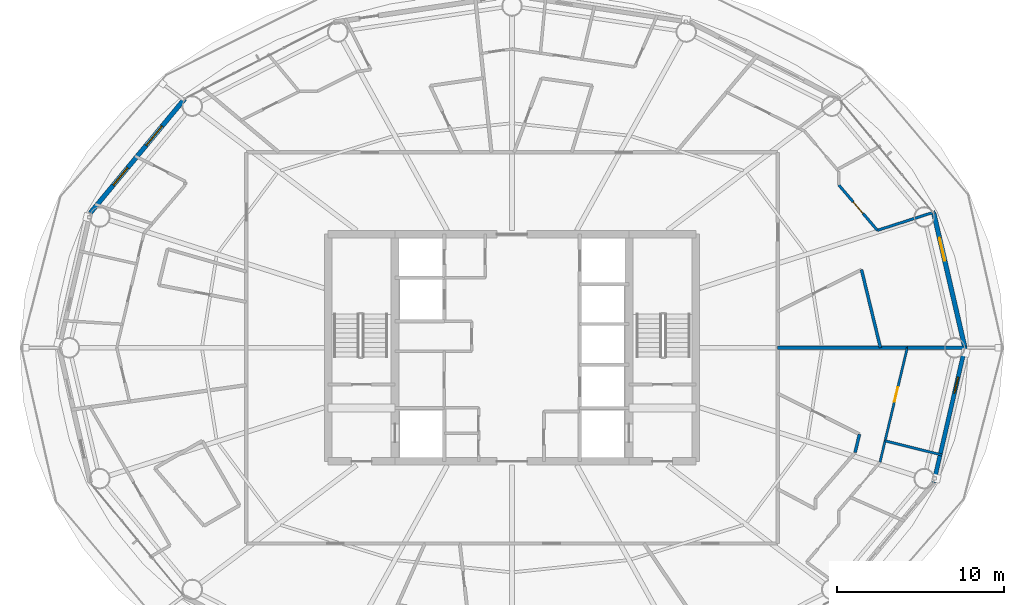
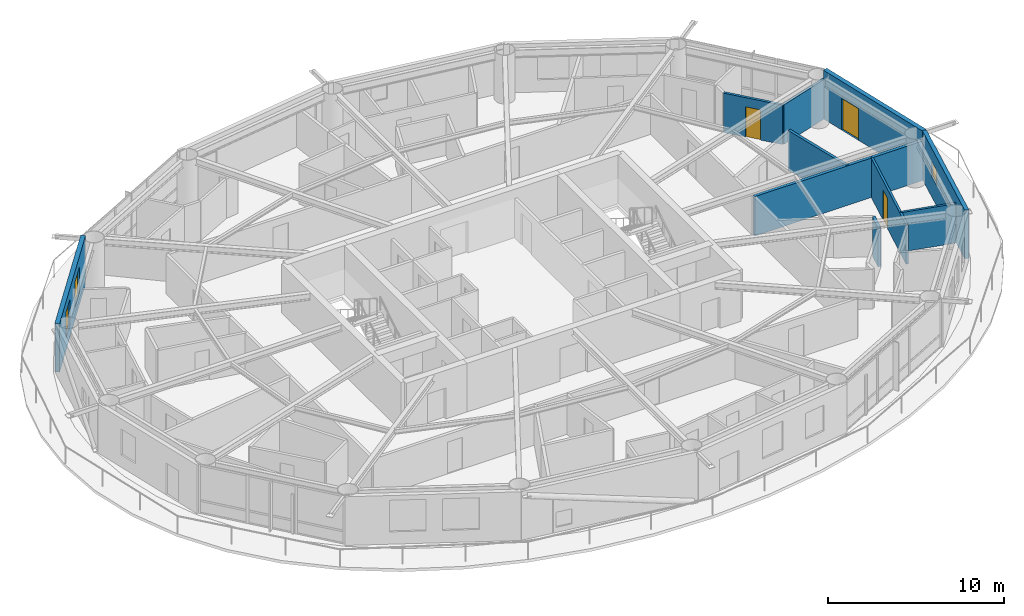
# One storey, part 23 of 28: 11 walls, 3 doors, 3 windows, 6 openings.
"""IFC4 building model written with IfcOpenShell, lengths in metres."""

import ifcopenshell
import ifcopenshell.guid

model = None  # the IFC model being written
_history = None  # IfcOwnerHistory: only IFC2X3 demands one
_inside = {}  # id of a spatial element -> (the spatial element, [elements in it])
_under = {}  # id of a project, library or spatial element -> (it, [spatial elements below it])
_declared = {}  # id of a project -> (the project, [libraries it declares])
_typed = {}  # id of a type object -> (the type object, [elements of that type])
_made_of = {}  # id of a material, layer set ... -> (it, [elements and type objects made of it])


def new_model(schema):
    """Start an empty IFC model of exactly this schema.

    Asked for "IFC4X3", IfcOpenShell would pick the latest addendum, in which some entities
    have other attributes; the version numbers below select the first issue.
    IFC2X3 requires an IfcOwnerHistory on every rooted entity: one is made here for all.
    """
    global model, _history
    if schema == "IFC4X3":
        model = ifcopenshell.file(schema_version=(4, 3, 0, 0))
    else:
        model = ifcopenshell.file(schema=schema)
    _inside.clear()
    _under.clear()
    _declared.clear()
    _typed.clear()
    _made_of.clear()
    _history = None
    if model.schema == "IFC2X3":
        org = make("IfcOrganization", Name="unknown")
        user = make(
            "IfcPersonAndOrganization",
            ThePerson=make("IfcPerson", FamilyName="unknown"),
            TheOrganization=org,
        )
        app = make(
            "IfcApplication",
            ApplicationDeveloper=org,
            Version="unknown",
            ApplicationFullName="unknown",
            ApplicationIdentifier="unknown",
        )
        _history = make(
            "IfcOwnerHistory",
            OwningUser=user,
            OwningApplication=app,
            ChangeAction="ADDED",
            CreationDate=0,
        )
    return model


def make(cls, **values):
    """One entity of the class cls with the attributes given. An attribute that is None is left unset."""
    return model.create_entity(
        cls, **{name: value for name, value in values.items() if value is not None}
    )


def rooted(cls, **values):
    """An entity with a GlobalId (a new one), such as an element, a storey or a relation."""
    return make(cls, GlobalId=ifcopenshell.guid.new(), OwnerHistory=_history, **values)


def si_unit(unit_type, name, prefix=None):
    """IfcSIUnit, for example si_unit("LENGTHUNIT", "METRE", prefix="MILLI")."""
    return make("IfcSIUnit", UnitType=unit_type, Prefix=prefix, Name=name)


def assignment(units):
    """IfcUnitAssignment: the units of a project."""
    return None if units is None else make("IfcUnitAssignment", Units=units)


def point(xyz):
    """IfcCartesianPoint."""
    return None if xyz is None else make("IfcCartesianPoint", Coordinates=xyz)


def direction(xyz):
    """IfcDirection."""
    return None if xyz is None else make("IfcDirection", DirectionRatios=xyz)


def frame(location, z_axis=None, x_axis=None):
    """IfcAxis2Placement3D, a coordinate frame: its origin and axes. An axis left out is left unset."""
    return make(
        "IfcAxis2Placement3D",
        Location=point(location),
        Axis=direction(z_axis),
        RefDirection=direction(x_axis),
    )


def frame_2d(location, x_axis=None):
    """IfcAxis2Placement2D, a coordinate frame in the plane: its origin and x axis."""
    return make(
        "IfcAxis2Placement2D", Location=point(location), RefDirection=direction(x_axis)
    )


def origin():
    """The frame at (0, 0, 0) with its axes left unset."""
    return frame((0.0, 0.0, 0.0))


def place(relative_to, where):
    """IfcLocalPlacement: puts the frame where relative to a parent placement (None: the world)."""
    return make(
        "IfcLocalPlacement", PlacementRelTo=relative_to, RelativePlacement=where
    )


def context(
    kind, dimensions, precision=None, world=None, true_north=None, identifier=None
):
    """IfcGeometricRepresentationContext, for example the 3D "Model" context."""
    return make(
        "IfcGeometricRepresentationContext",
        ContextIdentifier=identifier,
        ContextType=kind,
        CoordinateSpaceDimension=dimensions,
        Precision=precision,
        WorldCoordinateSystem=world,
        TrueNorth=true_north,
    )


def subcontext(parent, identifier, kind, view, scale=None):
    """IfcGeometricRepresentationSubContext, for example "Body" below "Model"."""
    return make(
        "IfcGeometricRepresentationSubContext",
        ContextIdentifier=identifier,
        ContextType=kind,
        ParentContext=parent,
        TargetScale=scale,
        TargetView=view,
    )


def project(units=None, contexts=None):
    """IfcProject with its units and contexts."""
    return rooted(
        "IfcProject",
        Name="project",
        RepresentationContexts=contexts,
        UnitsInContext=assignment(units),
    )


def spatial(cls, under=None, at=None, **own):
    """A site, building, storey or space (cls), placed at a placement, below another one or the project."""
    s = rooted(cls, ObjectPlacement=at, **own)
    if under is not None:
        _under.setdefault(under.id(), (under, []))[1].append(s)
    return s


def profile(cls, at=None, kind="AREA", **sizes):
    """A parametric profile (cls). Its sizes go by their IFC names, for example OverallWidth=200.0."""
    return make(cls, ProfileType=kind, Position=at, **sizes)


def rectangle(**sizes):
    """IfcRectangleProfileDef."""
    return profile("IfcRectangleProfileDef", **sizes)


def extrude(swept, where, along, depth):
    """IfcExtrudedAreaSolid: the profile swept, set in the frame where, extruded along a direction by depth."""
    return make(
        "IfcExtrudedAreaSolid",
        SweptArea=swept,
        Position=where,
        ExtrudedDirection=direction(along),
        Depth=depth,
    )


def shape(context_of_items, identifier, shape_type, items):
    """IfcShapeRepresentation: the items that make up one representation, for example the "Body"."""
    return make(
        "IfcShapeRepresentation",
        ContextOfItems=context_of_items,
        RepresentationIdentifier=identifier,
        RepresentationType=shape_type,
        Items=items,
    )


def material(Name=None, Category=None):
    """IfcMaterial."""
    return make("IfcMaterial", Name=Name, Category=Category)


def layer(
    of_material, thickness, ventilated=None, Name=None, Category=None, Priority=None
):
    """IfcMaterialLayer: one layer of a wall or slab, of a material (None: an air gap)."""
    return make(
        "IfcMaterialLayer",
        Material=of_material,
        LayerThickness=thickness,
        IsVentilated=ventilated,
        Name=Name,
        Category=Category,
        Priority=Priority,
    )


def layer_set(layers, Name=None):
    """IfcMaterialLayerSet."""
    return make("IfcMaterialLayerSet", MaterialLayers=layers, LayerSetName=Name)


def made_of(thing, what):
    """Note that an element or type object is made of a material, layer set ...; save() writes the relation."""
    if what is not None:
        _made_of.setdefault(what.id(), (what, []))[1].append(thing)
    return thing


def type_object(cls, material=None, **own):
    """A type object (cls), such as IfcWallType, which elements share."""
    return made_of(rooted(cls, **own), material)


def element(
    cls,
    number,
    at=None,
    inside=None,
    cuts=None,
    type_object=None,
    material=None,
    context=None,
    identifier="Body",
    shape_type=None,
    held_by="IfcProductDefinitionShape",
    body=None,
    shapes=None,
    **own,
):
    """One element of the class cls, such as IfcWall. Its Tag is "e" and its number.

    at: its placement. inside: the storey or other place that contains it. cuts: it is an
    opening in that element (IfcRelVoidsElement). A single representation is given by context,
    identifier, shape_type and body (its items); several are given by shapes. held_by: the class
    of the entity that holds the representations. save() writes the other relations.
    """
    e = rooted(cls, Tag="e%d" % number, ObjectPlacement=at, **own)
    if body is not None:
        shapes = [shape(context, identifier, shape_type, body)]
    if shapes is not None:
        e.Representation = make(held_by, Representations=shapes)
    if inside is not None:
        _inside.setdefault(inside.id(), (inside, []))[1].append(e)
    if cuts is not None:
        rooted(
            "IfcRelVoidsElement", RelatingBuildingElement=cuts, RelatedOpeningElement=e
        )
    if type_object is not None:
        _typed.setdefault(type_object.id(), (type_object, []))[1].append(e)
    return made_of(e, material)


def fill(opening, filler):
    """IfcRelFillsElement: the door or window that sits in an opening."""
    return rooted(
        "IfcRelFillsElement",
        RelatingOpeningElement=opening,
        RelatedBuildingElement=filler,
    )


def aggregate(whole, parts):
    """IfcRelAggregates: a whole, such as a stair, and the parts it consists of."""
    return rooted("IfcRelAggregates", RelatingObject=whole, RelatedObjects=parts)


def save(model, path):
    """Write the relations noted so far, then the file.

    IfcRelAggregates (storeys below a building ...), IfcRelContainedInSpatialStructure (elements
    in a storey), IfcRelDefinesByType, IfcRelAssociatesMaterial and IfcRelDeclares: one each for
    every whole, place, type object, material and project.
    """
    for whole, parts in _under.values():
        aggregate(whole, parts)
    for where, things in _inside.values():
        rooted(
            "IfcRelContainedInSpatialStructure",
            RelatedElements=things,
            RelatingStructure=where,
        )
    for kind, things in _typed.values():
        rooted("IfcRelDefinesByType", RelatedObjects=things, RelatingType=kind)
    for what, things in _made_of.values():
        rooted("IfcRelAssociatesMaterial", RelatedObjects=things, RelatingMaterial=what)
    for by, libraries in _declared.values():
        rooted("IfcRelDeclares", RelatingContext=by, RelatedDefinitions=libraries)
    model.write(path)


model = new_model("IFC4")

# Units and contexts
model_context = context("Model", 3, precision=1e-05, world=origin(), true_north=direction((0.0, 1.0)))
body_context = subcontext(model_context, "Body", "Model", "MODEL_VIEW")
ifc_project = project(units=[si_unit("LENGTHUNIT", "METRE"), si_unit("AREAUNIT", "SQUARE_METRE"), si_unit("VOLUMEUNIT", "CUBIC_METRE"), si_unit("PLANEANGLEUNIT", "RADIAN"), si_unit("MASSUNIT", "GRAM", prefix="KILO")], contexts=[model_context])

# Site, building, storey
site_placement = place(None, origin())
site = spatial("IfcSite", under=ifc_project, at=site_placement, CompositionType="ELEMENT")
building_placement = place(site_placement, origin())
building = spatial("IfcBuilding", under=site, at=building_placement, Name="Sarneth Arch Tower", CompositionType="ELEMENT")
storey_placement = place(building_placement, frame((0.0, 0.0, 179.39990234375)))
storey = spatial("IfcBuildingStorey", under=building, at=storey_placement, Name="L45", CompositionType="ELEMENT", Elevation=179.39990234375)

# Wall, opening, window
ifc_material_1 = material(Name="Extruded terracotta rainscreen on Concrete C40/50 backing", Category="masonry")
ifc_layer_1 = layer(ifc_material_1, 0.25)
ifc_layer_set_1 = layer_set([ifc_layer_1], Name="Extruded terracotta rainscreen on Concrete C40/50 backing")
wall_type_1 = type_object("IfcWallType", Name="WALL-EXT-SPAND-250", PredefinedType="SOLIDWALL", material=ifc_layer_set_1)
wall_1_placement = place(storey_placement, frame((73.232421875, 33.93310546875, 0.0), z_axis=(0.0, 0.0, 1.0), x_axis=(0.225473184558, 0.974249374157, 0.0)))
wall_1 = element("IfcWall", 1, at=wall_1_placement, inside=storey, type_object=wall_type_1, Name="L45 Terracotta perimeter wall 16", PredefinedType="SOLIDWALL", context=body_context, shape_type="SweptSolid", body=[
    extrude(rectangle(XDim=8.280029296875, YDim=0.25, at=frame_2d((4.14013671875, 0.0))), origin(), (0.0, 0.0, 1.0), 3.380126953125),
])
opening_1_placement = place(wall_1_placement, frame((5.4814453125, 0.0, 1.419921875)))
opening_1 = element("IfcOpeningElement", 2, at=opening_1_placement, cuts=wall_1, Name="Opening W-14", PredefinedType="OPENING", context=body_context, shape_type="SweptSolid", body=[
    extrude(rectangle(XDim=1.0, YDim=1.050048828125, at=frame_2d((0.5, 0.52490234375))), frame((0.0, 0.135009765625, 0.0), z_axis=(0.0, -1.0, 0.0), x_axis=(1.0, 0.0, 0.0)), (0.0, 0.0, 1.0), 0.27001953125),
])
ifc_material_2 = material(Name="Thermally broken Aluminium 6063-T6 and low-e laminated IGU", Category="aluminium")
window_type_1 = type_object("IfcWindowType", Name="WIN-TWR-1000x1050", PartitioningType="SINGLE_PANEL", PredefinedType="WINDOW", material=ifc_material_2)
window_1_placement = place(opening_1_placement, origin())
window_1 = element("IfcWindow", 3, at=window_1_placement, inside=storey, type_object=window_type_1, Name="L45 Dwelling bedroom window 05", OverallHeight=1.050048828125, OverallWidth=1.0, PartitioningType="SINGLE_PANEL", PredefinedType="WINDOW", context=body_context, shape_type="SweptSolid", body=[
    extrude(rectangle(XDim=1.0, YDim=1.050048828125, at=frame_2d((0.5, 0.52490234375))), frame((0.0, 0.030029296875, 0.0), z_axis=(0.0, -1.0, 0.0), x_axis=(1.0, 0.0, 0.0)), (0.0, 0.0, 1.0), 0.06005859375),
])
fill(opening_1, window_1)

# Wall, opening, door
ifc_material_3 = material(Name="Extruded terracotta rainscreen on Concrete C40/50 backing", Category="masonry")
ifc_layer_2 = layer(ifc_material_3, 0.280029296875)
ifc_layer_set_2 = layer_set([ifc_layer_2], Name="Extruded terracotta rainscreen on Concrete C40/50 backing")
wall_type_2 = type_object("IfcWallType", Name="WALL-EXT-TERRA-280", PredefinedType="SOLIDWALL", material=ifc_layer_set_2)
wall_2_placement = place(storey_placement, frame((75.099365234375, 42.0, 0.0), z_axis=(0.0, 0.0, 1.0), x_axis=(-0.225473184558, 0.974249374157, 0.0)))
wall_2 = element("IfcWall", 4, at=wall_2_placement, inside=storey, type_object=wall_type_2, Name="L45 Terracotta perimeter wall 01", PredefinedType="SOLIDWALL", context=body_context, shape_type="SweptSolid", body=[
    extrude(rectangle(XDim=8.280029296875, YDim=0.280029296875, at=frame_2d((4.14013671875, 0.0))), origin(), (0.0, 0.0, 1.0), 3.380126953125),
])
opening_2_placement = place(wall_2_placement, frame((5.343994140625, 0.0, 0.0)))
opening_2 = element("IfcOpeningElement", 5, at=opening_2_placement, cuts=wall_2, Name="Opening BD-2", PredefinedType="OPENING", context=body_context, shape_type="SweptSolid", body=[
    extrude(rectangle(XDim=1.39990234375, YDim=2.199951171875, at=frame_2d((0.699951171875, 1.10009765625))), frame((0.0, 0.14990234375, 0.0), z_axis=(0.0, -1.0, 0.0), x_axis=(1.0, 0.0, 0.0)), (0.0, 0.0, 1.0), 0.300048828125),
])
ifc_material_4 = material(Name="Thermally broken Aluminium 6063-T6 and laminated safety glass", Category="aluminium")
door_type_1 = type_object("IfcDoorType", Name="DR-BALC-GLZ-1400", OperationType="SINGLE_SWING_LEFT", PredefinedType="DOOR", material=ifc_material_4)
door_1_placement = place(opening_2_placement, origin())
door_1 = element("IfcDoor", 6, at=door_1_placement, inside=storey, type_object=door_type_1, Name="L45 Balcony glazed door 01", OperationType="SINGLE_SWING_LEFT", OverallHeight=2.199951171875, OverallWidth=1.39990234375, PredefinedType="DOOR", context=body_context, shape_type="SweptSolid", body=[
    extrude(rectangle(XDim=1.39990234375, YDim=2.199951171875, at=frame_2d((0.699951171875, 1.10009765625))), frame((0.0, 0.02490234375, 0.0), z_axis=(0.0, -1.0, 0.0), x_axis=(1.0, 0.0, 0.0)), (0.0, 0.0, 1.0), 0.050048828125),
])
fill(opening_2, door_1)

# Wall, openings, windows
wall_3_placement = place(storey_placement, frame((28.423828125, 56.90576171875, 0.0), z_axis=(0.0, 0.0, 1.0), x_axis=(-0.637333477683, -0.770588111915, 0.0)))
wall_3 = element("IfcWall", 7, at=wall_3_placement, inside=storey, type_object=wall_type_2, Name="L45 Terracotta perimeter wall 07", PredefinedType="SOLIDWALL", context=body_context, shape_type="SweptSolid", body=[
    extrude(rectangle(XDim=8.874755859375, YDim=0.280029296875, at=frame_2d((4.4375, 0.0))), origin(), (0.0, 0.0, 1.0), 3.380126953125),
])
opening_3_placement = place(wall_3_placement, frame((2.12451171875, 0.0, 0.85009765625)))
opening_3 = element("IfcOpeningElement", 8, at=opening_3_placement, cuts=wall_3, Name="Opening W-07", PredefinedType="OPENING", context=body_context, shape_type="SweptSolid", body=[
    extrude(rectangle(XDim=1.5, YDim=1.800048828125, at=frame_2d((0.75, 0.89990234375))), frame((0.0, 0.14990234375, 0.0), z_axis=(0.0, -1.0, 0.0), x_axis=(1.0, 0.0, 0.0)), (0.0, 0.0, 1.0), 0.300048828125),
])
opening_4_placement = place(wall_3_placement, frame((5.3671875, 0.0, 0.85009765625)))
opening_4 = element("IfcOpeningElement", 9, at=opening_4_placement, cuts=wall_3, Name="Opening W-08", PredefinedType="OPENING", context=body_context, shape_type="SweptSolid", body=[
    extrude(rectangle(XDim=1.35009765625, YDim=1.800048828125, at=frame_2d((0.675048828125, 0.89990234375))), frame((0.0, 0.14990234375, 0.0), z_axis=(0.0, -1.0, 0.0), x_axis=(1.0, 0.0, 0.0)), (0.0, 0.0, 1.0), 0.300048828125),
])
ifc_material_5 = material(Name="Thermally broken Aluminium 6063-T6 and low-e laminated IGU", Category="aluminium")
window_type_2 = type_object("IfcWindowType", Name="WIN-TWR-1350x1800", PartitioningType="SINGLE_PANEL", PredefinedType="WINDOW", material=ifc_material_5)
window_2_placement = place(opening_4_placement, origin())
window_2 = element("IfcWindow", 10, at=window_2_placement, inside=storey, type_object=window_type_2, Name="L45 Exterior window 07B", OverallHeight=1.800048828125, OverallWidth=1.35009765625, PartitioningType="SINGLE_PANEL", PredefinedType="WINDOW", context=body_context, shape_type="SweptSolid", body=[
    extrude(rectangle(XDim=1.35009765625, YDim=1.800048828125, at=frame_2d((0.675048828125, 0.89990234375))), frame((0.0, 0.030029296875, 0.0), z_axis=(0.0, -1.0, 0.0), x_axis=(1.0, 0.0, 0.0)), (0.0, 0.0, 1.0), 0.06005859375),
])
fill(opening_4, window_2)
ifc_material_6 = material(Name="Thermally broken Aluminium 6063-T6 and low-e laminated IGU", Category="aluminium")
window_type_3 = type_object("IfcWindowType", Name="WIN-TWR-1500x1800", PartitioningType="SINGLE_PANEL", PredefinedType="WINDOW", material=ifc_material_6)
window_3_placement = place(opening_3_placement, origin())
window_3 = element("IfcWindow", 11, at=window_3_placement, inside=storey, type_object=window_type_3, Name="L45 Exterior window 07A", OverallHeight=1.800048828125, OverallWidth=1.5, PartitioningType="SINGLE_PANEL", PredefinedType="WINDOW", context=body_context, shape_type="SweptSolid", body=[
    extrude(rectangle(XDim=1.5, YDim=1.800048828125, at=frame_2d((0.75, 0.89990234375))), frame((0.0, 0.030029296875, 0.0), z_axis=(0.0, -1.0, 0.0), x_axis=(1.0, 0.0, 0.0)), (0.0, 0.0, 1.0), 0.06005859375),
])
fill(opening_3, window_3)

# Wall, opening, door
ifc_material_7 = material(Name="Apartment internal stud partition", Category="gypsum")
ifc_layer_3 = layer(ifc_material_7, 0.139892578125)
ifc_layer_set_3 = layer_set([ifc_layer_3], Name="Apartment internal stud partition")
wall_type_3 = type_object("IfcWallType", Name="WALL-PART-140", PredefinedType="PARTITIONING", material=ifc_layer_set_3)
wall_4_placement = place(storey_placement, frame((71.648681640625, 42.0, 0.0), z_axis=(0.0, 0.0, 1.0), x_axis=(-0.231658068135, -0.972797275627, 0.0)))
wall_4 = element("IfcWall", 12, at=wall_4_placement, inside=storey, type_object=wall_type_3, Name="L45 Interior partition W-L45-TP-110", PredefinedType="PARTITIONING", context=body_context, shape_type="SweptSolid", body=[
    extrude(rectangle(XDim=7.03369140625, YDim=0.139892578125, at=frame_2d((3.516845703125, 0.0))), origin(), (0.0, 0.0, 1.0), 2.739990234375),
])
opening_5_placement = place(wall_4_placement, frame((2.4267578125, 0.0, 0.0)))
opening_5 = element("IfcOpeningElement", 13, at=opening_5_placement, cuts=wall_4, Name="Opening ID-01", PredefinedType="OPENING", context=body_context, shape_type="SweptSolid", body=[
    extrude(rectangle(XDim=0.89990234375, YDim=2.10009765625, at=frame_2d((0.449951171875, 1.050048828125))), frame((0.0, 0.079833984375, 0.0), z_axis=(0.0, -1.0, 0.0), x_axis=(1.0, 0.0, 0.0)), (0.0, 0.0, 1.0), 0.159912109375),
])
ifc_material_8 = material(Name="Engineered hardwood flush door", Category="wood")
door_type_2 = type_object("IfcDoorType", Name="DR-INT-900", OperationType="SINGLE_SWING_LEFT", PredefinedType="DOOR", material=ifc_material_8)
door_2_placement = place(opening_5_placement, origin())
door_2 = element("IfcDoor", 14, at=door_2_placement, inside=storey, type_object=door_type_2, Name="L45 Interior door DR-L45-U7-BED2", OperationType="SINGLE_SWING_RIGHT", OverallHeight=2.10009765625, OverallWidth=0.89990234375, PredefinedType="DOOR", context=body_context, shape_type="SweptSolid", body=[
    extrude(rectangle(XDim=0.89990234375, YDim=2.10009765625, at=frame_2d((0.449951171875, 1.050048828125))), frame((0.0, 0.02490234375, 0.0), z_axis=(0.0, -1.0, 0.0), x_axis=(1.0, 0.0, 0.0)), (0.0, 0.0, 1.0), 0.050048828125),
])
fill(opening_5, door_2)

# Walls
ifc_material_9 = material(Name="Acoustic gypsum stud partition", Category="gypsum")
ifc_layer_4 = layer(ifc_material_9, 0.14990234375)
ifc_layer_set_4 = layer_set([ifc_layer_4], Name="Acoustic gypsum stud partition")
wall_type_4 = type_object("IfcWallType", Name="WALL-PART-150", PredefinedType="PARTITIONING", material=ifc_layer_set_4)
wall_5_placement = place(storey_placement, frame((70.323486328125, 36.43408203125, 0.0), z_axis=(0.0, 0.0, 1.0), x_axis=(0.970301483456, -0.241898803642, 0.0)))
element("IfcWall", 15, at=wall_5_placement, inside=storey, type_object=wall_type_4, Name="L45 Interior partition W-L45-TP-112", PredefinedType="PARTITIONING", context=body_context, shape_type="SweptSolid", body=[
    extrude(rectangle(XDim=3.518310546875, YDim=0.14990234375, at=frame_2d((1.75927734375, 0.0))), origin(), (0.0, 0.0, 1.0), 2.739990234375),
])
ifc_material_10 = material(Name="Kitchen wet service chase wall", Category="gypsum")
ifc_layer_5 = layer(ifc_material_10, 0.159912109375)
ifc_layer_set_5 = layer_set([ifc_layer_5], Name="Kitchen wet service chase wall")
wall_type_5 = type_object("IfcWallType", Name="WALL-PLUMB-160", PredefinedType="PLUMBINGWALL", material=ifc_layer_set_5)
wall_6_placement = place(storey_placement, frame((73.318115234375, 50.13818359375, 0.0), z_axis=(0.0, 0.0, 1.0), x_axis=(-0.95200546613, -0.306081022703, 0.0)))
element("IfcWall", 16, at=wall_6_placement, inside=storey, type_object=wall_type_5, Name="L45 Interior partition W-L45-TP-021", PredefinedType="PLUMBINGWALL", context=body_context, shape_type="SweptSolid", body=[
    extrude(rectangle(XDim=3.630126953125, YDim=0.159912109375, at=frame_2d((1.81494140625, 0.0))), origin(), (0.0, 0.0, 1.0), 2.739990234375),
])

# Wall, opening, door
wall_7_placement = place(storey_placement, frame((69.8623046875, 49.027099609375, 0.0), z_axis=(0.0, 0.0, 1.0), x_axis=(-0.648065435441, 0.761584658057, 0.0)))
wall_7 = element("IfcWall", 17, at=wall_7_placement, inside=storey, type_object=wall_type_5, Name="L45 Interior partition W-L45-TP-022", PredefinedType="PLUMBINGWALL", context=body_context, shape_type="SweptSolid", body=[
    extrude(rectangle(XDim=3.56787109375, YDim=0.159912109375, at=frame_2d((1.783935546875, 0.0))), origin(), (0.0, 0.0, 1.0), 2.739990234375),
])
opening_6_placement = place(wall_7_placement, frame((1.333984375, 0.0, 0.0)))
opening_6 = element("IfcOpeningElement", 18, at=opening_6_placement, cuts=wall_7, Name="Opening ID-01", PredefinedType="OPENING", context=body_context, shape_type="SweptSolid", body=[
    extrude(rectangle(XDim=0.89990234375, YDim=2.10009765625, at=frame_2d((0.449951171875, 1.050048828125))), frame((0.0, 0.08984375, 0.0), z_axis=(0.0, -1.0, 0.0), x_axis=(1.0, 0.0, 0.0)), (0.0, 0.0, 1.0), 0.179931640625),
])
door_3_placement = place(opening_6_placement, origin())
door_3 = element("IfcDoor", 19, at=door_3_placement, inside=storey, type_object=door_type_2, Name="L45 Interior door DR-L45-U1-KIT", OperationType="SINGLE_SWING_LEFT", OverallHeight=2.10009765625, OverallWidth=0.89990234375, PredefinedType="DOOR", context=body_context, shape_type="SweptSolid", body=[
    extrude(rectangle(XDim=0.89990234375, YDim=2.10009765625, at=frame_2d((0.449951171875, 1.050048828125))), frame((0.0, 0.02490234375, 0.0), z_axis=(0.0, -1.0, 0.0), x_axis=(1.0, 0.0, 0.0)), (0.0, 0.0, 1.0), 0.050048828125),
])
fill(opening_6, door_3)

# Walls
ifc_material_11 = material(Name="Moisture-resistant plumbing chase wall", Category="gypsum")
ifc_layer_6 = layer(ifc_material_11, 0.179931640625)
ifc_layer_set_6 = layer_set([ifc_layer_6], Name="Moisture-resistant plumbing chase wall")
wall_type_6 = type_object("IfcWallType", Name="WALL-PLUMB-180", PredefinedType="PLUMBINGWALL", material=ifc_layer_set_6)
wall_8_placement = place(storey_placement, frame((68.912353515625, 46.6748046875, 0.0), z_axis=(0.0, 0.0, 1.0), x_axis=(0.235459111302, -0.97188425592, 0.0)))
element("IfcWall", 20, at=wall_8_placement, inside=storey, type_object=wall_type_6, Name="L45 Interior partition W-L45-TP-026", PredefinedType="PLUMBINGWALL", context=body_context, shape_type="SweptSolid", body=[
    extrude(rectangle(XDim=4.81005859375, YDim=0.179931640625, at=frame_2d((2.405029296875, 0.0))), origin(), (0.0, 0.0, 1.0), 2.739990234375),
])
wall_9_placement = place(storey_placement, frame((68.526123046875, 35.731689453125, 0.0), z_axis=(0.0, 0.0, 1.0), x_axis=(0.235606217796, 0.971848604535, 0.0)))
element("IfcWall", 21, at=wall_9_placement, inside=storey, type_object=wall_type_6, Name="L45 Interior partition W-L45-TP-106", PredefinedType="PLUMBINGWALL", context=body_context, shape_type="SweptSolid", body=[
    extrude(rectangle(XDim=1.12841796875, YDim=0.179931640625, at=frame_2d((0.564208984375, 0.0))), origin(), (0.0, 0.0, 1.0), 2.739990234375),
])
ifc_material_12 = material(Name="Double steel-stud acoustic drywall", Category="steel")
ifc_layer_7 = layer(ifc_material_12, 0.199951171875)
ifc_layer_set_7 = layer_set([ifc_layer_7], Name="Double steel-stud acoustic drywall")
wall_type_7 = type_object("IfcWallType", Name="WALL-UNIT-200", PredefinedType="PARTITIONING", material=ifc_layer_set_7)
wall_10_placement = place(storey_placement, frame((63.89990234375, 42.0, 0.0), z_axis=(0.0, 0.0, 1.0), x_axis=(1.0, 0.0, 0.0)))
element("IfcWall", 22, at=wall_10_placement, inside=storey, type_object=wall_type_7, Name="L45 Interior partition W-L45-TP-034", PredefinedType="PARTITIONING", context=body_context, shape_type="SweptSolid", body=[
    extrude(rectangle(XDim=7.748779296875, YDim=0.199951171875, at=frame_2d((3.87451171875, 0.0))), origin(), (0.0, 0.0, 1.0), 2.739990234375),
])
wall_11_placement = place(storey_placement, frame((71.648681640625, 42.0, 0.0), z_axis=(0.0, 0.0, 1.0), x_axis=(1.0, 0.0, 0.0)))
element("IfcWall", 23, at=wall_11_placement, inside=storey, type_object=wall_type_7, Name="L45 Interior partition W-L45-TP-032", PredefinedType="PARTITIONING", context=body_context, shape_type="SweptSolid", body=[
    extrude(rectangle(XDim=3.57080078125, YDim=0.199951171875, at=frame_2d((1.785400390625, 0.0))), origin(), (0.0, 0.0, 1.0), 2.739990234375),
])

save(model, "model.ifc")
